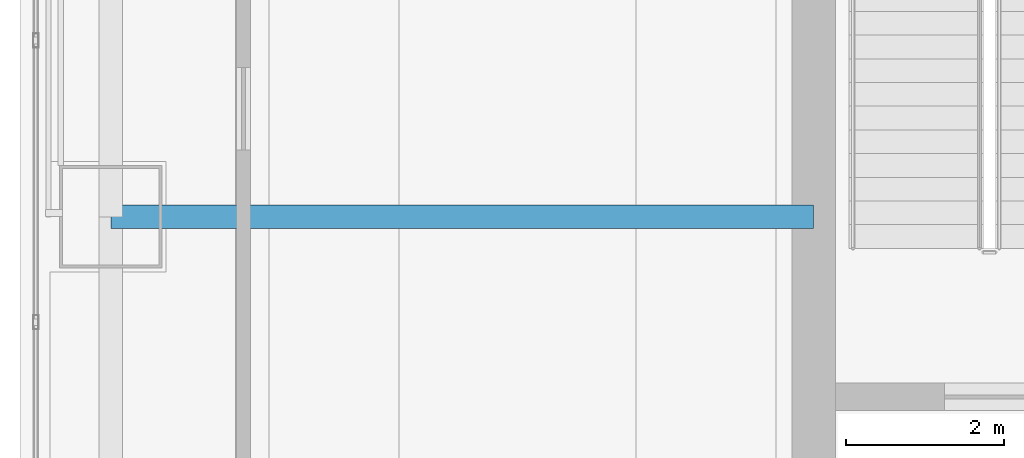
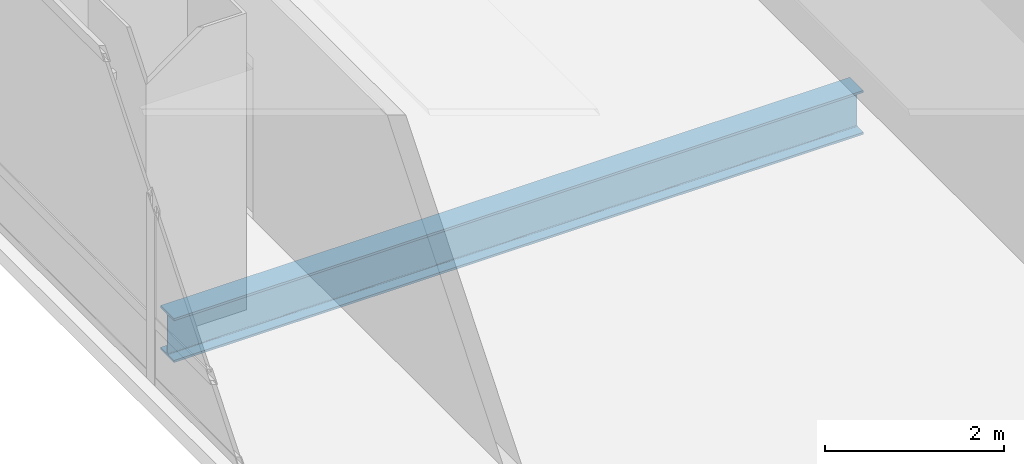
# One storey, part 5 of 42: 1 beam.
"""IFC4 building model written with IfcOpenShell, lengths in metres."""

from ifc_helpers import new_model, si_unit, direction, frame, origin, origin_2d, place, context, subcontext, project, spatial, i_section, extrude, material, material_profile, profile_set, type_object, element, save


model = new_model("IFC4")

# Units and contexts
model_context = context("Model", 3, precision=1e-05, world=origin(), true_north=direction((0.0, 1.0)))
body_context = subcontext(model_context, "Body", "Model", "MODEL_VIEW")
ifc_project = project(units=[si_unit("LENGTHUNIT", "METRE"), si_unit("AREAUNIT", "SQUARE_METRE"), si_unit("VOLUMEUNIT", "CUBIC_METRE"), si_unit("PLANEANGLEUNIT", "RADIAN"), si_unit("MASSUNIT", "GRAM", prefix="KILO")], contexts=[model_context])

# Site, building, storey
site_placement = place(None, origin())
site = spatial("IfcSite", under=ifc_project, at=site_placement, CompositionType="ELEMENT")
building_placement = place(site_placement, origin())
building = spatial("IfcBuilding", under=site, at=building_placement, Name="Punatoya Terracotta Tower", CompositionType="ELEMENT")
storey_placement = place(building_placement, frame((0.0, 0.0, 263.550048828125)))
storey = spatial("IfcBuildingStorey", under=building, at=storey_placement, Name="L62", CompositionType="ELEMENT", Elevation=263.550048828125)

# Beam
ifc_material = material(Name="Steel S355", Category="steel")
ifc_material_profile = material_profile(ifc_material, i_section(OverallWidth=0.300048828125, OverallDepth=0.60009765625, WebThickness=0.015380859375, FlangeThickness=0.030029296875, FilletRadius=0.01806640625, at=origin_2d()))
ifc_profile_set = profile_set([ifc_material_profile], Name="Steel S355")
beam_type = type_object("IfcBeamType", Name="BM-PRI-600", PredefinedType="BEAM", material=ifc_profile_set)
beam_placement = place(storey_placement, frame((-19.10009765625, -3.39990234375, -0.5), z_axis=(1.0, 0.0, 0.0), x_axis=(0.0, 1.0, 0.0)))
element("IfcBeam", 1, at=beam_placement, inside=storey, type_object=beam_type, Name="BM-L62-PR-WD", PredefinedType="BEAM", context=body_context, shape_type="SweptSolid", body=[
    extrude(i_section(OverallWidth=0.300048828125, OverallDepth=0.60009765625, WebThickness=0.015380859375, FlangeThickness=0.030029296875, FilletRadius=0.01806640625, at=origin_2d()), origin(), (0.0, 0.0, 1.0), 8.900146484375),
])

save(model, "model.ifc")
